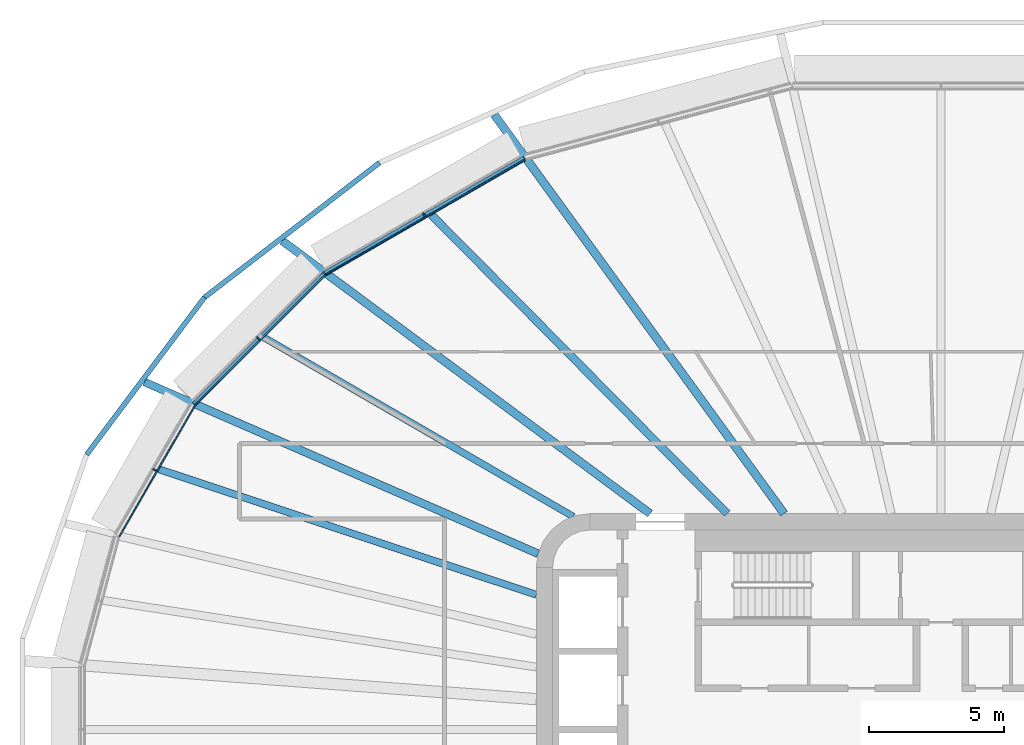
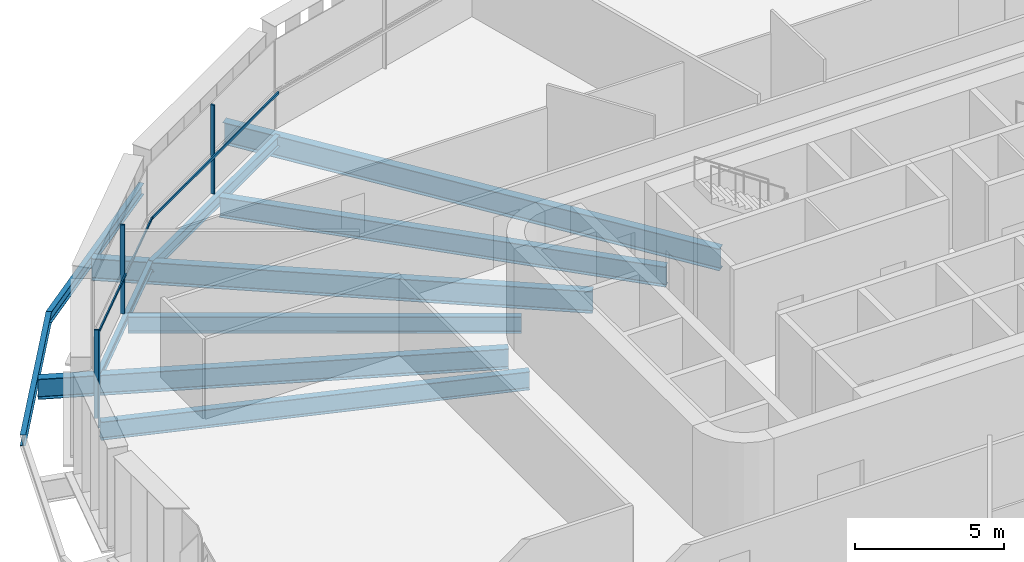
# One storey, part 7 of 25: 10 beams, 6 members, 3 elements without a shape of their own.
"""IFC4 building model written with IfcOpenShell, lengths in metres."""

from ifc_helpers import new_model, si_unit, direction, frame, origin, origin_2d, place, context, subcontext, project, spatial, rectangle, i_section, extrude, material, layer, layer_set, material_profile, profile_set, type_object, element, aggregate, save


model = new_model("IFC4")

# Units and contexts
model_context = context("Model", 3, precision=1e-05, world=origin(), true_north=direction((0.0, 1.0)))
body_context = subcontext(model_context, "Body", "Model", "MODEL_VIEW")
ifc_project = project(units=[si_unit("LENGTHUNIT", "METRE"), si_unit("AREAUNIT", "SQUARE_METRE"), si_unit("VOLUMEUNIT", "CUBIC_METRE"), si_unit("PLANEANGLEUNIT", "RADIAN"), si_unit("MASSUNIT", "GRAM", prefix="KILO")], contexts=[model_context])

# Site, building, storey
site_placement = place(None, origin())
site = spatial("IfcSite", under=ifc_project, at=site_placement, CompositionType="ELEMENT")
building_placement = place(site_placement, origin())
building = spatial("IfcBuilding", under=site, at=building_placement, Name="Sahrelin Media Tower", CompositionType="ELEMENT")
storey_placement = place(building_placement, frame((0.0, 0.0, 106.199951171875)))
storey = spatial("IfcBuildingStorey", under=building, at=storey_placement, Name="L20", CompositionType="ELEMENT", Elevation=106.199951171875)

# Beams
ifc_material_1 = material(Name="Steel S355", Category="steel")
ifc_material_profile_1 = material_profile(ifc_material_1, i_section(OverallWidth=0.17138671875, OverallDepth=0.35498046875, WebThickness=0.00732421875, FlangeThickness=0.011474609375, FilletRadius=0.01025390625, at=origin_2d()), Name="UB 356x171x51")
ifc_profile_set_1 = profile_set([ifc_material_profile_1], Name="Steel S355")
beam_type_1 = type_object("IfcBeamType", Name="Edge beam EB3", PredefinedType="BEAM", material=ifc_profile_set_1)
beam_1_placement = place(storey_placement, frame((-27.68115234375, 12.048583984375, -0.327392578125), z_axis=(0.707124646667, 0.707088915255, 0.0), x_axis=(-0.707088915255, 0.707124646667, 0.0)))
element("IfcBeam", 1, at=beam_1_placement, inside=storey, type_object=beam_type_1, Name="Edge beam L20-16", PredefinedType="BEAM", context=body_context, shape_type="SweptSolid", body=[
    extrude(i_section(OverallWidth=0.17138671875, OverallDepth=0.35498046875, WebThickness=0.00732421875, FlangeThickness=0.011474609375, FilletRadius=0.01025390625, at=origin_2d()), origin(), (0.0, 0.0, 1.0), 6.832763671875),
])
ifc_material_profile_2 = material_profile(ifc_material_1, i_section(OverallWidth=0.1904296875, OverallDepth=0.45703125, WebThickness=0.009033203125, FlangeThickness=0.014404296875, FilletRadius=0.01025390625, at=origin_2d()), Name="UB 457x191x74")
ifc_profile_set_2 = profile_set([ifc_material_profile_2], Name="Steel S355")
beam_type_2 = type_object("IfcBeamType", Name="Edge beam EB5", PredefinedType="BEAM", material=ifc_profile_set_2)
beam_2_placement = place(storey_placement, frame((-22.82666015625, 16.8974609375, -0.37841796875), z_axis=(0.866017364183, 0.500013924739, 0.0), x_axis=(-0.500013924739, 0.866017364183, 0.0)))
element("IfcBeam", 2, at=beam_2_placement, inside=storey, type_object=beam_type_2, Name="Edge beam L20-17", PredefinedType="BEAM", context=body_context, shape_type="SweptSolid", body=[
    extrude(i_section(OverallWidth=0.1904296875, OverallDepth=0.45703125, WebThickness=0.009033203125, FlangeThickness=0.014404296875, FilletRadius=0.01025390625, at=origin_2d()), origin(), (0.0, 0.0, 1.0), 8.531494140625),
])

# Curtain wall, member
ifc_material_2 = material(Name="Champagne anodised aluminium 6063-T6", Category="aluminium")
ifc_layer = layer(ifc_material_2, 0.14990234375)
ifc_layer_set = layer_set([ifc_layer], Name="Tower ribbon curtain wall")
curtain_wall_type = type_object("IfcCurtainWallType", Name="Tower ribbon curtain wall", PredefinedType="NOTDEFINED", material=ifc_layer_set)
curtain_wall_1_placement = place(storey_placement, frame((-19.20751953125, 19.160400390625, 0.0), z_axis=(0.0, 0.0, 1.0), x_axis=(1.0, 0.0, 0.0)))
curtain_wall_1 = element("IfcCurtainWall", 3, at=curtain_wall_1_placement, inside=storey, type_object=curtain_wall_type, Name="L20:CW:L20-08", PredefinedType="NOTDEFINED")
ifc_material_profile_3 = material_profile(ifc_material_2, rectangle(XDim=0.06005859375, YDim=0.14990234375, at=origin_2d()), Name="Mullion 60x150")
ifc_profile_set_3 = profile_set([ifc_material_profile_3], Name="Champagne anodised aluminium 6063-T6")
member_type_1 = type_object("IfcMemberType", Name="Mullion 60x150 CW1", PredefinedType="MULLION", material=ifc_profile_set_3)
member_1_placement = place(storey_placement, frame((-19.159912109375, 19.077880859375, 0.0), z_axis=(0.0, 0.0, 1.0), x_axis=(-0.866024531118, -0.500001511499, 0.0)))
member_1 = element("IfcMember", 4, at=member_1_placement, type_object=member_type_1, Name="L20:CWM:L20-08", PredefinedType="MULLION", context=body_context, shape_type="SweptSolid", body=[
    extrude(rectangle(XDim=0.06005859375, YDim=0.14990234375, at=origin_2d()), origin(), (0.0, 0.0, 1.0), 3.648681640625),
])

curtain_wall_2_placement = place(storey_placement, frame((-25.371337890625, 14.5703125, 0.0), z_axis=(0.0, 0.0, 1.0), x_axis=(1.0, 0.0, 0.0)))
curtain_wall_2 = element("IfcCurtainWall", 5, at=curtain_wall_2_placement, inside=storey, type_object=curtain_wall_type, Name="L20:CW:L20-09", PredefinedType="NOTDEFINED")
member_2_placement = place(storey_placement, frame((-25.30419921875, 14.503173828125, 0.0), z_axis=(0.0, 0.0, 1.0), x_axis=(-0.707106781187, -0.707106781187, 0.0)))
member_2 = element("IfcMember", 6, at=member_2_placement, type_object=member_type_1, Name="L20:CWM:L20-09", PredefinedType="MULLION", context=body_context, shape_type="SweptSolid", body=[
    extrude(rectangle(XDim=0.06005859375, YDim=0.14990234375, at=origin_2d()), origin(), (0.0, 0.0, 1.0), 3.648681640625),
])

curtain_wall_3_placement = place(storey_placement, frame((-29.231689453125, 9.67041015625, 0.0), z_axis=(0.0, 0.0, 1.0), x_axis=(1.0, 0.0, 0.0)))
curtain_wall_3 = element("IfcCurtainWall", 7, at=curtain_wall_3_placement, inside=storey, type_object=curtain_wall_type, Name="L20:CW:L20-10", PredefinedType="NOTDEFINED")
member_3_placement = place(storey_placement, frame((-29.1494140625, 9.622802734375, 0.0), z_axis=(0.0, 0.0, 1.0), x_axis=(-0.500004534492, -0.866022785779, 0.0)))
member_3 = element("IfcMember", 8, at=member_3_placement, type_object=member_type_1, Name="L20:CWM:L20-10", PredefinedType="MULLION", context=body_context, shape_type="SweptSolid", body=[
    extrude(rectangle(XDim=0.06005859375, YDim=0.14990234375, at=origin_2d()), origin(), (0.0, 0.0, 1.0), 3.648681640625),
])

# Beams
ifc_material_profile_4 = material_profile(ifc_material_1, i_section(OverallWidth=0.291748046875, OverallDepth=0.8349609375, WebThickness=0.013916015625, FlangeThickness=0.018798828125, FilletRadius=0.017822265625, at=origin_2d()), Name="UB 838x292x176")
ifc_profile_set_4 = profile_set([ifc_material_profile_4], Name="Steel S355")
beam_type_3 = type_object("IfcBeamType", Name="Radial primary beam PB10", PredefinedType="BEAM", material=ifc_profile_set_4)
beam_3_placement = place(storey_placement, frame((-14.9326171875, 6.512939453125, -0.5673828125), z_axis=(-0.916604953185, 0.399794146777, 0.0), x_axis=(-0.399794146777, -0.916604953185, 0.0)))
element("IfcBeam", 9, at=beam_3_placement, inside=storey, type_object=beam_type_3, Name="Radial beam L20-10", PredefinedType="BEAM", context=body_context, shape_type="SweptSolid", body=[
    extrude(i_section(OverallWidth=0.291748046875, OverallDepth=0.8349609375, WebThickness=0.013916015625, FlangeThickness=0.018798828125, FilletRadius=0.017822265625, at=origin_2d()), origin(), (0.0, 0.0, 1.0), 15.927490234375),
])
ifc_material_profile_5 = material_profile(ifc_material_1, i_section(OverallWidth=0.30322265625, OverallDepth=0.903076171875, WebThickness=0.01513671875, FlangeThickness=0.020263671875, FilletRadius=0.01904296875, at=origin_2d()), Name="UB 914x305x201")
ifc_profile_set_5 = profile_set([ifc_material_profile_5], Name="Steel S355")
beam_type_4 = type_object("IfcBeamType", Name="Radial primary beam PB11", PredefinedType="BEAM", material=ifc_profile_set_5)
beam_4_placement = place(storey_placement, frame((-5.8125, 8.0, -0.6015625), z_axis=(-0.587804906346, 0.809002714505, 0.0), x_axis=(-0.809002714505, -0.587804906346, 0.0)))
element("IfcBeam", 10, at=beam_4_placement, inside=storey, type_object=beam_type_4, Name="Radial beam L20-08", PredefinedType="BEAM", context=body_context, shape_type="SweptSolid", body=[
    extrude(i_section(OverallWidth=0.30322265625, OverallDepth=0.903076171875, WebThickness=0.01513671875, FlangeThickness=0.020263671875, FilletRadius=0.01904296875, at=origin_2d()), origin(), (0.0, 0.0, 1.0), 18.28759765625),
])
beam_5_placement = place(storey_placement, frame((-10.78466796875, 8.0, -0.6015625), z_axis=(-0.803155745006, 0.595769124127, 0.0), x_axis=(-0.595769124127, -0.803155745006, 0.0)))
element("IfcBeam", 11, at=beam_5_placement, inside=storey, type_object=beam_type_4, Name="Radial beam L20-09", PredefinedType="BEAM", context=body_context, shape_type="SweptSolid", body=[
    extrude(i_section(OverallWidth=0.30322265625, OverallDepth=0.903076171875, WebThickness=0.01513671875, FlangeThickness=0.020263671875, FilletRadius=0.01904296875, at=origin_2d()), origin(), (0.0, 0.0, 1.0), 16.9755859375),
])
ifc_material_profile_6 = material_profile(ifc_material_1, i_section(OverallWidth=0.291748046875, OverallDepth=0.8349609375, WebThickness=0.013916015625, FlangeThickness=0.018798828125, FilletRadius=0.017822265625, at=origin_2d()), Name="UB 838x292x176")
ifc_profile_set_6 = profile_set([ifc_material_profile_6], Name="Steel S355")
beam_type_5 = type_object("IfcBeamType", Name="Radial secondary beam SB10", PredefinedType="BEAM", material=ifc_profile_set_6)
beam_6_placement = place(storey_placement, frame((-7.92138671875, 8.0, -0.5673828125), z_axis=(-0.703602310212, 0.7105939692, 0.0), x_axis=(-0.7105939692, -0.703602310212, 0.0)))
element("IfcBeam", 12, at=beam_6_placement, inside=storey, type_object=beam_type_5, Name="Secondary beam L20-08", PredefinedType="BEAM", context=body_context, shape_type="SweptSolid", body=[
    extrude(i_section(OverallWidth=0.291748046875, OverallDepth=0.8349609375, WebThickness=0.013916015625, FlangeThickness=0.018798828125, FilletRadius=0.017822265625, at=origin_2d()), origin(), (0.0, 0.0, 1.0), 15.57373046875),
])
ifc_material_profile_7 = material_profile(ifc_material_1, i_section(OverallWidth=0.2529296875, OverallDepth=0.677978515625, WebThickness=0.01171875, FlangeThickness=0.01611328125, FilletRadius=0.01513671875, at=origin_2d()), Name="UB 686x254x125")
ifc_profile_set_7 = profile_set([ifc_material_profile_7], Name="Steel S355")
beam_type_6 = type_object("IfcBeamType", Name="Radial secondary beam SB8", PredefinedType="BEAM", material=ifc_profile_set_7)
beam_7_placement = place(storey_placement, frame((-13.625, 7.887451171875, -0.48876953125), z_axis=(-0.865447741605, 0.500999208134, 0.0), x_axis=(-0.500999208134, -0.865447741605, 0.0)))
element("IfcBeam", 13, at=beam_7_placement, inside=storey, type_object=beam_type_6, Name="Secondary beam L20-09", PredefinedType="BEAM", context=body_context, shape_type="SweptSolid", body=[
    extrude(i_section(OverallWidth=0.2529296875, OverallDepth=0.677978515625, WebThickness=0.01171875, FlangeThickness=0.01611328125, FilletRadius=0.01513671875, at=origin_2d()), origin(), (0.0, 0.0, 1.0), 13.2431640625),
])
ifc_material_profile_8 = material_profile(ifc_material_1, i_section(OverallWidth=0.26513671875, OverallDepth=0.75390625, WebThickness=0.0126953125, FlangeThickness=0.017578125, FilletRadius=0.0166015625, at=origin_2d()), Name="UB 762x267x147")
ifc_profile_set_8 = profile_set([ifc_material_profile_8], Name="Steel S355")
beam_type_7 = type_object("IfcBeamType", Name="Radial secondary beam SB9", PredefinedType="BEAM", material=ifc_profile_set_8)
beam_8_placement = place(storey_placement, frame((-15.0, 4.989990234375, -0.52685546875), z_axis=(-0.948863762476, 0.31568585692, 0.0), x_axis=(-0.31568585692, -0.948863762476, 0.0)))
element("IfcBeam", 14, at=beam_8_placement, inside=storey, type_object=beam_type_7, Name="Secondary beam L20-10", PredefinedType="BEAM", context=body_context, shape_type="SweptSolid", body=[
    extrude(i_section(OverallWidth=0.26513671875, OverallDepth=0.75390625, WebThickness=0.0126953125, FlangeThickness=0.017578125, FilletRadius=0.0166015625, at=origin_2d()), origin(), (0.0, 0.0, 1.0), 14.7333984375),
])
ifc_material_profile_9 = material_profile(ifc_material_1, i_section(OverallWidth=0.1904296875, OverallDepth=0.45703125, WebThickness=0.009033203125, FlangeThickness=0.014404296875, FilletRadius=0.01025390625, at=origin_2d()), Name="UB 457x191x74")
ifc_profile_set_9 = profile_set([ifc_material_profile_9], Name="Steel S355")
beam_type_8 = type_object("IfcBeamType", Name="Tie chord TC5", PredefinedType="BEAM", material=ifc_profile_set_9)
beam_9_placement = place(storey_placement, frame((-20.810546875, 21.0107421875, -0.37841796875), z_axis=(-0.792454327323, -0.60993125769, 0.0), x_axis=(0.60993125769, -0.792454327323, 0.0)))
element("IfcBeam", 15, at=beam_9_placement, inside=storey, type_object=beam_type_8, Name="Tie chord L20-09", PredefinedType="BEAM", context=body_context, shape_type="SweptSolid", body=[
    extrude(i_section(OverallWidth=0.1904296875, OverallDepth=0.45703125, WebThickness=0.009033203125, FlangeThickness=0.014404296875, FilletRadius=0.01025390625, at=origin_2d()), origin(), (0.0, 0.0, 1.0), 8.18603515625),
])
beam_10_placement = place(storey_placement, frame((-27.297607421875, 16.017822265625, -0.37841796875), z_axis=(-0.600037514246, -0.799971862941, 0.0), x_axis=(0.799971862941, -0.600037514246, 0.0)))
element("IfcBeam", 16, at=beam_10_placement, inside=storey, type_object=beam_type_8, Name="Tie chord L20-10", PredefinedType="BEAM", context=body_context, shape_type="SweptSolid", body=[
    extrude(i_section(OverallWidth=0.1904296875, OverallDepth=0.45703125, WebThickness=0.009033203125, FlangeThickness=0.014404296875, FilletRadius=0.01025390625, at=origin_2d()), origin(), (0.0, 0.0, 1.0), 7.288818359375),
])

# Member
ifc_material_profile_10 = material_profile(ifc_material_2, rectangle(XDim=0.050048828125, YDim=0.10009765625, at=origin_2d()), Name="Transom 50x100")
ifc_profile_set_10 = profile_set([ifc_material_profile_10], Name="Champagne anodised aluminium 6063-T6")
member_type_2 = type_object("IfcMemberType", Name="Transom 50x100 CW1", PredefinedType="USERDEFINED", material=ifc_profile_set_10)
member_4_placement = place(storey_placement, frame((-15.429443359375, 21.116455078125, 1.60009765625), z_axis=(-0.866021522889, -0.500006721848, 0.0), x_axis=(0.500006721848, -0.866021522889, 0.0)))
member_4 = element("IfcMember", 17, at=member_4_placement, type_object=member_type_2, Name="L20:CWT:L20-08", ObjectType="TRANSOM", PredefinedType="USERDEFINED", context=body_context, shape_type="SweptSolid", body=[
    extrude(rectangle(XDim=0.050048828125, YDim=0.10009765625, at=origin_2d()), origin(), (0.0, 0.0, 1.0), 8.5),
])

aggregate(curtain_wall_1, [member_1, member_4])

member_5_placement = place(storey_placement, frame((-22.828857421875, 16.837158203125, 1.60009765625), z_axis=(-0.707106781187, -0.707106781187, 0.0), x_axis=(0.707106781187, -0.707106781187, 0.0)))
member_5 = element("IfcMember", 18, at=member_5_placement, type_object=member_type_2, Name="L20:CWT:L20-09", ObjectType="TRANSOM", PredefinedType="USERDEFINED", context=body_context, shape_type="SweptSolid", body=[
    extrude(rectangle(XDim=0.050048828125, YDim=0.10009765625, at=origin_2d()), origin(), (0.0, 0.0, 1.0), 6.801513671875),
])

aggregate(curtain_wall_2, [member_2, member_5])

member_6_placement = place(storey_placement, frame((-27.66748046875, 11.989501953125, 1.60009765625), z_axis=(-0.499987512418, -0.866032613373, 0.0), x_axis=(0.866032613373, -0.499987512418, 0.0)))
member_6 = element("IfcMember", 19, at=member_6_placement, type_object=member_type_2, Name="L20:CWT:L20-10", ObjectType="TRANSOM", PredefinedType="USERDEFINED", context=body_context, shape_type="SweptSolid", body=[
    extrude(rectangle(XDim=0.050048828125, YDim=0.10009765625, at=origin_2d()), origin(), (0.0, 0.0, 1.0), 5.581298828125),
])

aggregate(curtain_wall_3, [member_3, member_6])

save(model, "model.ifc")
